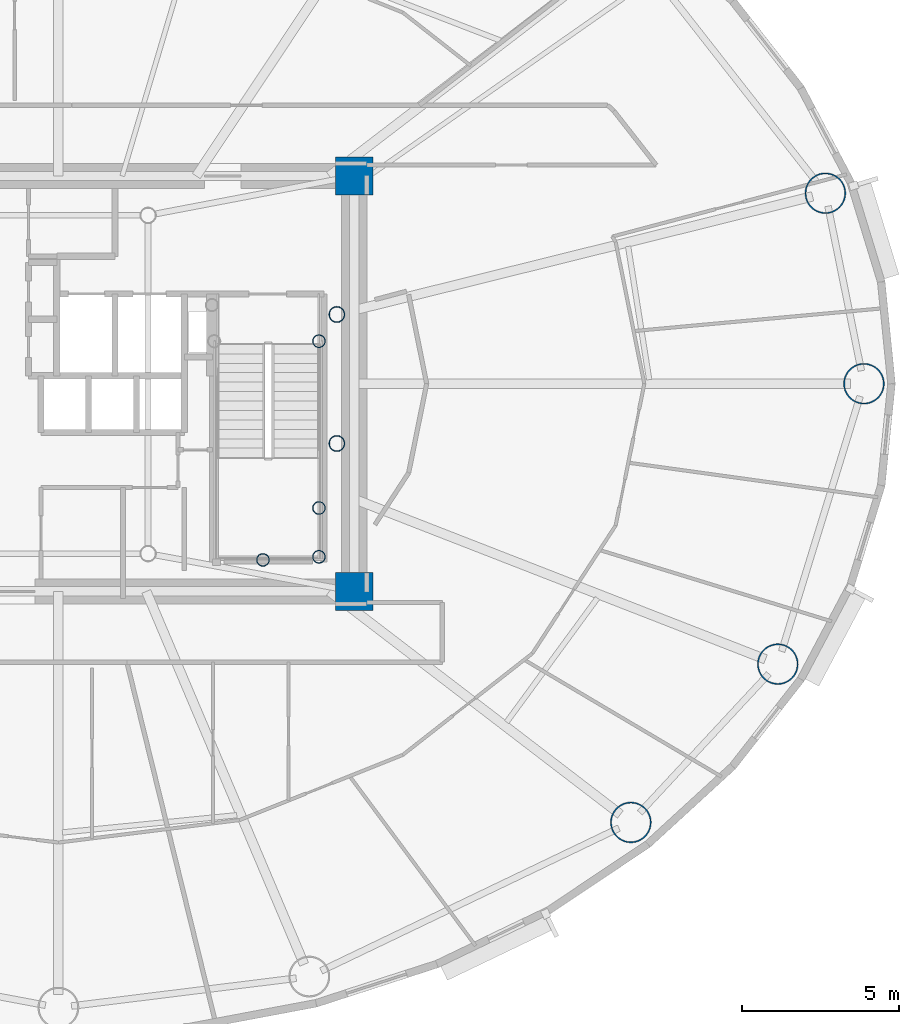
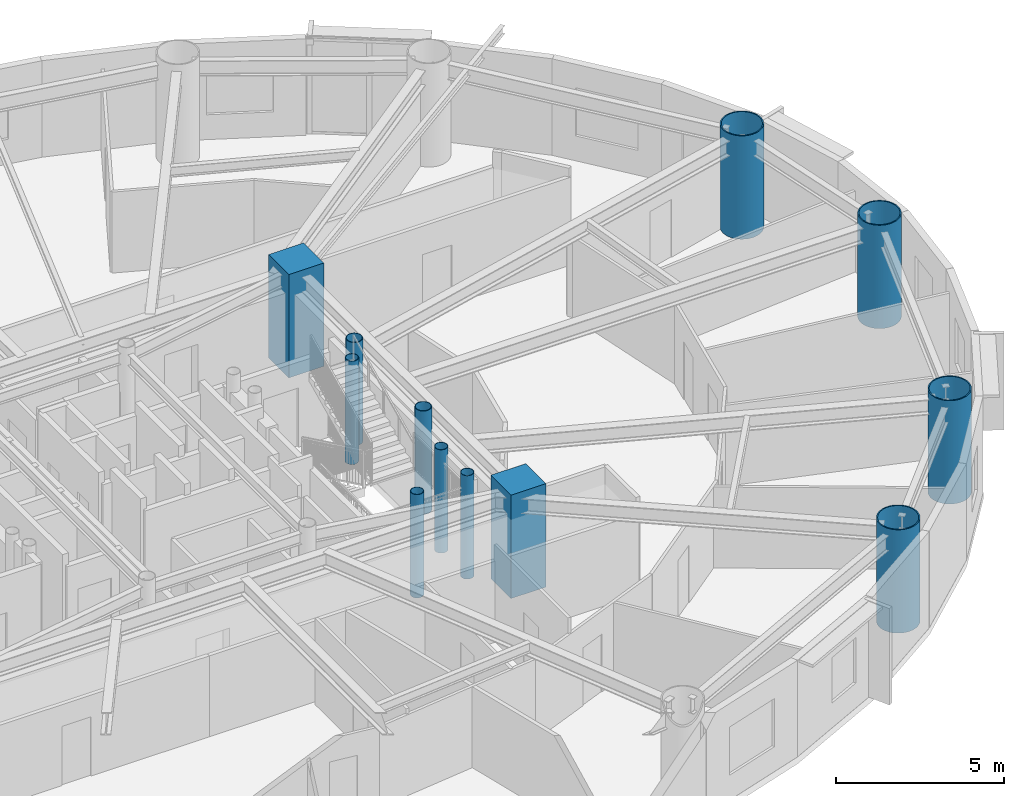
# One storey, part 2 of 18: 12 columns.
"""IFC4 building model written with IfcOpenShell, lengths in metres."""

from ifc_helpers import new_model, si_unit, direction, frame, origin, origin_2d, place, context, subcontext, project, spatial, rectangle, hollow_circle, extrude, material, material_profile, profile_set, type_object, element, save


model = new_model("IFC4")

# Units and contexts
model_context = context("Model", 3, precision=1e-05, world=origin(), true_north=direction((0.0, 1.0)))
body_context = subcontext(model_context, "Body", "Model", "MODEL_VIEW")
ifc_project = project(units=[si_unit("LENGTHUNIT", "METRE"), si_unit("AREAUNIT", "SQUARE_METRE"), si_unit("VOLUMEUNIT", "CUBIC_METRE"), si_unit("PLANEANGLEUNIT", "RADIAN"), si_unit("MASSUNIT", "GRAM", prefix="KILO")], contexts=[model_context])

# Site, building, storey
site_placement = place(None, origin())
site = spatial("IfcSite", under=ifc_project, at=site_placement, CompositionType="ELEMENT")
building_placement = place(site_placement, origin())
building = spatial("IfcBuilding", under=site, at=building_placement, Name="Linh Dai School and Residence Tower", CompositionType="ELEMENT")
storey_placement = place(building_placement, frame((0.0, 0.0, 186.14990234375)))
storey = spatial("IfcBuildingStorey", under=building, at=storey_placement, Name="L45", CompositionType="ELEMENT", Elevation=186.14990234375)

# Columns
ifc_material_1 = material(Name="Concrete B60 (C50/60)", Category="concrete")
ifc_material_profile_1 = material_profile(ifc_material_1, rectangle(XDim=1.199951171875, YDim=1.199951171875, at=origin_2d()), Name="RC 1200x1200")
ifc_profile_set_1 = profile_set([ifc_material_profile_1], Name="Concrete B60 (C50/60)")
column_type_1 = type_object("IfcColumnType", Name="COL-CC2", PredefinedType="COLUMN", material=ifc_profile_set_1)
for number, where, z_axis, x_axis, name in (
    (1, (45.39990234375, 20.39990234375, 0.0), (0.0, 0.0, 1.0), (1.0, 0.0, 0.0), "L45 Core Corner Pier CC2"),
    (2, (45.39990234375, 33.60009765625, 0.0), (0.0, 0.0, 1.0), (1.0, 0.0, 0.0), "L45 Core Corner Pier CC3"),
):
    element("IfcColumn", number, at=place(storey_placement, frame(where, z_axis=z_axis, x_axis=x_axis)), inside=storey, type_object=column_type_1, Name=name, PredefinedType="COLUMN", context=body_context, shape_type="SweptSolid", body=[
        extrude(rectangle(XDim=1.199951171875, YDim=1.199951171875, at=origin_2d()), origin(), (0.0, 0.0, 1.0), 3.75),
    ])
ifc_material_2 = material(Name="Structural Steel S355JR", Category="steel")
ifc_material_profile_2 = material_profile(ifc_material_2, hollow_circle(Radius=0.203125, WallThickness=0.01611328125, at=origin_2d()), Name="CHS 406.4x16")
ifc_profile_set_2 = profile_set([ifc_material_profile_2], Name="Structural Steel S355JR")
column_type_2 = type_object("IfcColumnType", Name="COL-EC", PredefinedType="COLUMN", material=ifc_profile_set_2)
for number, where, z_axis, x_axis, name in (
    (3, (44.280029296875, 21.5, 0.0), (0.0, 0.0, 1.0), (1.0, 0.0, 0.0), "L45 Stair Shaft Landing Support Pier ST2SE"),
    (4, (44.280029296875, 23.050048828125, 0.0), (0.0, 0.0, 1.0), (1.0, 0.0, 0.0), "L45 Stair Shaft Landing Support Pier ST2NE"),
    (5, (42.5, 21.39990234375, 0.0), (0.0, 0.0, 1.0), (1.0, 0.0, 0.0), "L45 Stair Shaft Landing Support Pier ST2MS"),
    (6, (44.280029296875, 28.35009765625, 0.0), (0.0, 0.0, 1.0), (1.0, 0.0, 0.0), "L45 Stair Shaft Landing Support Pier ST2N2"),
):
    element("IfcColumn", number, at=place(storey_placement, frame(where, z_axis=z_axis, x_axis=x_axis)), inside=storey, type_object=column_type_2, Name=name, PredefinedType="COLUMN", context=body_context, shape_type="SweptSolid", body=[
        extrude(hollow_circle(Radius=0.203125, WallThickness=0.01611328125, at=origin_2d()), origin(), (0.0, 0.0, 1.0), 3.75),
    ])
ifc_material_profile_3 = material_profile(ifc_material_2, hollow_circle(Radius=0.64990234375, WallThickness=0.0400390625, at=origin_2d()), Name="CHS 1300x40")
ifc_profile_set_3 = profile_set([ifc_material_profile_3], Name="Structural Steel S355JR")
column_type_3 = type_object("IfcColumnType", Name="COL-MC4", PredefinedType="COLUMN", material=ifc_profile_set_3)
for number, where, z_axis, x_axis, name in (
    (7, (61.60009765625, 27.0, 0.0), (0.0, 0.0, 1.0), (1.0, 0.0, 0.0), "L45 Perimeter CFT Mega-Column MC01"),
    (8, (60.37451171875, 33.053466796875, 0.0), (0.0, 0.0, 1.0), (1.0, 0.0, 0.0), "L45 Perimeter CFT Mega-Column MC02"),
    (9, (54.1923828125, 13.058349609375, 0.0), (0.0, 0.0, 1.0), (1.0, 0.0, 0.0), "L45 Perimeter CFT Mega-Column MC15"),
    (10, (58.862548828125, 18.0888671875, 0.0), (0.0, 0.0, 1.0), (1.0, 0.0, 0.0), "L45 Perimeter CFT Mega-Column MC16"),
):
    element("IfcColumn", number, at=place(storey_placement, frame(where, z_axis=z_axis, x_axis=x_axis)), inside=storey, type_object=column_type_3, Name=name, PredefinedType="COLUMN", context=body_context, shape_type="SweptSolid", body=[
        extrude(hollow_circle(Radius=0.64990234375, WallThickness=0.0400390625, at=origin_2d()), origin(), (0.0, 0.0, 1.0), 3.75),
    ])
ifc_material_profile_4 = material_profile(ifc_material_2, hollow_circle(Radius=0.25390625, WallThickness=0.02001953125, at=origin_2d()), Name="CHS 508x20")
ifc_profile_set_4 = profile_set([ifc_material_profile_4], Name="Structural Steel S355JR")
column_type_4 = type_object("IfcColumnType", Name="COL-MCP", PredefinedType="COLUMN", material=ifc_profile_set_4)
for number, where, z_axis, x_axis, name in (
    (11, (44.85009765625, 25.10009765625, 0.0), (0.0, 0.0, 1.0), (1.0, 0.0, 0.0), "L45 Sky-Lounge Core Anchor Pier S"),
    (12, (44.85009765625, 29.199951171875, 0.0), (0.0, 0.0, 1.0), (1.0, 0.0, 0.0), "L45 Sky-Lounge Core Anchor Pier N"),
):
    element("IfcColumn", number, at=place(storey_placement, frame(where, z_axis=z_axis, x_axis=x_axis)), inside=storey, type_object=column_type_4, Name=name, PredefinedType="COLUMN", context=body_context, shape_type="SweptSolid", body=[
        extrude(hollow_circle(Radius=0.25390625, WallThickness=0.02001953125, at=origin_2d()), origin(), (0.0, 0.0, 1.0), 3.75),
    ])

save(model, "model.ifc")
